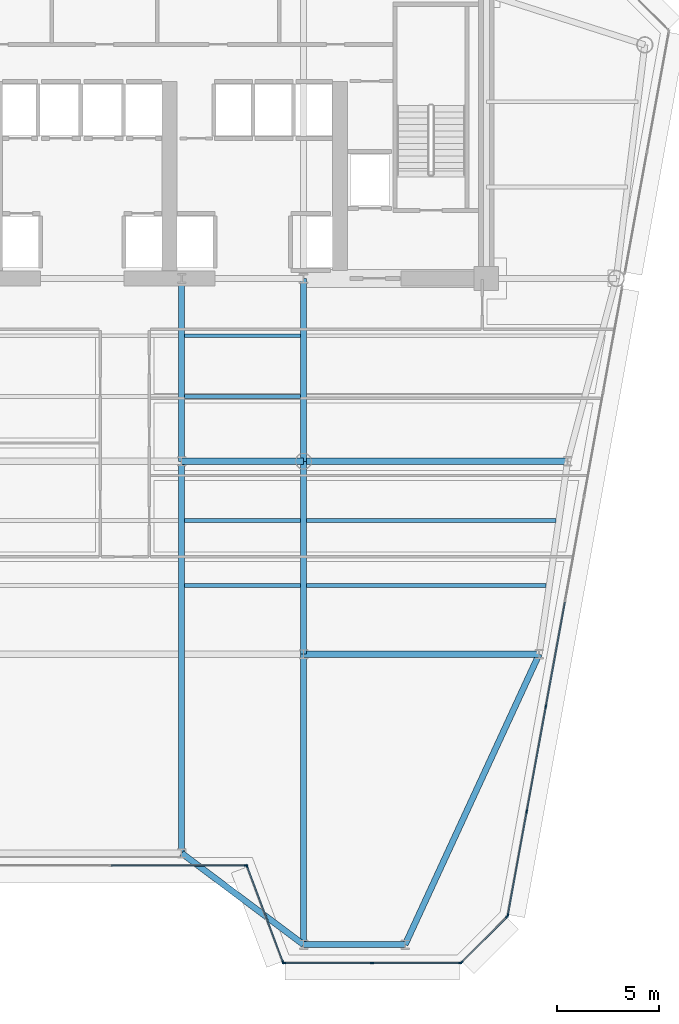
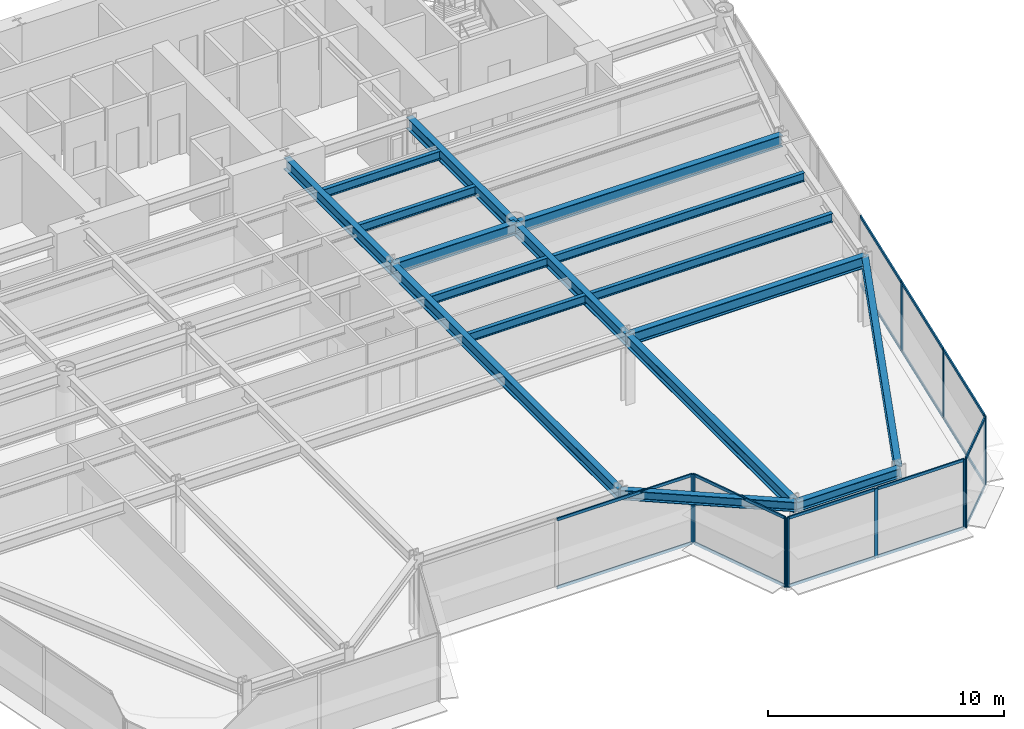
# One storey, part 5 of 17: 27 members, 17 beams, 5 elements without a shape of their own.
"""IFC4 building model written with IfcOpenShell, lengths in metres."""

import ifcopenshell
import ifcopenshell.guid

model = None  # the IFC model being written
_history = None  # IfcOwnerHistory: only IFC2X3 demands one
_inside = {}  # id of a spatial element -> (the spatial element, [elements in it])
_under = {}  # id of a project, library or spatial element -> (it, [spatial elements below it])
_declared = {}  # id of a project -> (the project, [libraries it declares])
_typed = {}  # id of a type object -> (the type object, [elements of that type])
_made_of = {}  # id of a material, layer set ... -> (it, [elements and type objects made of it])


def new_model(schema):
    """Start an empty IFC model of exactly this schema.

    Asked for "IFC4X3", IfcOpenShell would pick the latest addendum, in which some entities
    have other attributes; the version numbers below select the first issue.
    IFC2X3 requires an IfcOwnerHistory on every rooted entity: one is made here for all.
    """
    global model, _history
    if schema == "IFC4X3":
        model = ifcopenshell.file(schema_version=(4, 3, 0, 0))
    else:
        model = ifcopenshell.file(schema=schema)
    _inside.clear()
    _under.clear()
    _declared.clear()
    _typed.clear()
    _made_of.clear()
    _history = None
    if model.schema == "IFC2X3":
        org = make("IfcOrganization", Name="unknown")
        user = make(
            "IfcPersonAndOrganization",
            ThePerson=make("IfcPerson", FamilyName="unknown"),
            TheOrganization=org,
        )
        app = make(
            "IfcApplication",
            ApplicationDeveloper=org,
            Version="unknown",
            ApplicationFullName="unknown",
            ApplicationIdentifier="unknown",
        )
        _history = make(
            "IfcOwnerHistory",
            OwningUser=user,
            OwningApplication=app,
            ChangeAction="ADDED",
            CreationDate=0,
        )
    return model


def make(cls, **values):
    """One entity of the class cls with the attributes given. An attribute that is None is left unset."""
    return model.create_entity(
        cls, **{name: value for name, value in values.items() if value is not None}
    )


def rooted(cls, **values):
    """An entity with a GlobalId (a new one), such as an element, a storey or a relation."""
    return make(cls, GlobalId=ifcopenshell.guid.new(), OwnerHistory=_history, **values)


def si_unit(unit_type, name, prefix=None):
    """IfcSIUnit, for example si_unit("LENGTHUNIT", "METRE", prefix="MILLI")."""
    return make("IfcSIUnit", UnitType=unit_type, Prefix=prefix, Name=name)


def assignment(units):
    """IfcUnitAssignment: the units of a project."""
    return None if units is None else make("IfcUnitAssignment", Units=units)


def point(xyz):
    """IfcCartesianPoint."""
    return None if xyz is None else make("IfcCartesianPoint", Coordinates=xyz)


def direction(xyz):
    """IfcDirection."""
    return None if xyz is None else make("IfcDirection", DirectionRatios=xyz)


def frame(location, z_axis=None, x_axis=None):
    """IfcAxis2Placement3D, a coordinate frame: its origin and axes. An axis left out is left unset."""
    return make(
        "IfcAxis2Placement3D",
        Location=point(location),
        Axis=direction(z_axis),
        RefDirection=direction(x_axis),
    )


def frame_2d(location, x_axis=None):
    """IfcAxis2Placement2D, a coordinate frame in the plane: its origin and x axis."""
    return make(
        "IfcAxis2Placement2D", Location=point(location), RefDirection=direction(x_axis)
    )


def origin():
    """The frame at (0, 0, 0) with its axes left unset."""
    return frame((0.0, 0.0, 0.0))


def origin_2d():
    """The frame at (0, 0) in the plane with its x axis left unset."""
    return frame_2d((0.0, 0.0))


def place(relative_to, where):
    """IfcLocalPlacement: puts the frame where relative to a parent placement (None: the world)."""
    return make(
        "IfcLocalPlacement", PlacementRelTo=relative_to, RelativePlacement=where
    )


def context(
    kind, dimensions, precision=None, world=None, true_north=None, identifier=None
):
    """IfcGeometricRepresentationContext, for example the 3D "Model" context."""
    return make(
        "IfcGeometricRepresentationContext",
        ContextIdentifier=identifier,
        ContextType=kind,
        CoordinateSpaceDimension=dimensions,
        Precision=precision,
        WorldCoordinateSystem=world,
        TrueNorth=true_north,
    )


def subcontext(parent, identifier, kind, view, scale=None):
    """IfcGeometricRepresentationSubContext, for example "Body" below "Model"."""
    return make(
        "IfcGeometricRepresentationSubContext",
        ContextIdentifier=identifier,
        ContextType=kind,
        ParentContext=parent,
        TargetScale=scale,
        TargetView=view,
    )


def project(units=None, contexts=None):
    """IfcProject with its units and contexts."""
    return rooted(
        "IfcProject",
        Name="project",
        RepresentationContexts=contexts,
        UnitsInContext=assignment(units),
    )


def spatial(cls, under=None, at=None, **own):
    """A site, building, storey or space (cls), placed at a placement, below another one or the project."""
    s = rooted(cls, ObjectPlacement=at, **own)
    if under is not None:
        _under.setdefault(under.id(), (under, []))[1].append(s)
    return s


def profile(cls, at=None, kind="AREA", **sizes):
    """A parametric profile (cls). Its sizes go by their IFC names, for example OverallWidth=200.0."""
    return make(cls, ProfileType=kind, Position=at, **sizes)


def rectangle(**sizes):
    """IfcRectangleProfileDef."""
    return profile("IfcRectangleProfileDef", **sizes)


def i_section(**sizes):
    """IfcIShapeProfileDef."""
    return profile("IfcIShapeProfileDef", **sizes)


def extrude(swept, where, along, depth):
    """IfcExtrudedAreaSolid: the profile swept, set in the frame where, extruded along a direction by depth."""
    return make(
        "IfcExtrudedAreaSolid",
        SweptArea=swept,
        Position=where,
        ExtrudedDirection=direction(along),
        Depth=depth,
    )


def shape(context_of_items, identifier, shape_type, items):
    """IfcShapeRepresentation: the items that make up one representation, for example the "Body"."""
    return make(
        "IfcShapeRepresentation",
        ContextOfItems=context_of_items,
        RepresentationIdentifier=identifier,
        RepresentationType=shape_type,
        Items=items,
    )


def source(mapping_origin, context_of_items, identifier, shape_type, items):
    """IfcRepresentationMap: a shape defined once, which mapped items show again and again."""
    return make(
        "IfcRepresentationMap",
        MappingOrigin=mapping_origin,
        MappedRepresentation=shape(context_of_items, identifier, shape_type, items),
    )


def transform(
    local_origin,
    x_axis=None,
    y_axis=None,
    z_axis=None,
    scale=None,
    scale2=None,
    scale3=None,
    uniform=True,
):
    """IfcCartesianTransformationOperator3D, or its non-uniform kind. x_axis, y_axis, z_axis: its Axis1, 2, 3."""
    if uniform:
        return make(
            "IfcCartesianTransformationOperator3D",
            Axis1=direction(x_axis),
            Axis2=direction(y_axis),
            LocalOrigin=point(local_origin),
            Scale=scale,
            Axis3=direction(z_axis),
        )
    return make(
        "IfcCartesianTransformationOperator3DnonUniform",
        Axis1=direction(x_axis),
        Axis2=direction(y_axis),
        LocalOrigin=point(local_origin),
        Scale=scale,
        Axis3=direction(z_axis),
        Scale2=scale2,
        Scale3=scale3,
    )


def mapped(mapping_source, mapping_target):
    """IfcMappedItem: shows the shape of a source again, moved by a transform."""
    return make(
        "IfcMappedItem", MappingSource=mapping_source, MappingTarget=mapping_target
    )


def material(Name=None, Category=None):
    """IfcMaterial."""
    return make("IfcMaterial", Name=Name, Category=Category)


def layer(
    of_material, thickness, ventilated=None, Name=None, Category=None, Priority=None
):
    """IfcMaterialLayer: one layer of a wall or slab, of a material (None: an air gap)."""
    return make(
        "IfcMaterialLayer",
        Material=of_material,
        LayerThickness=thickness,
        IsVentilated=ventilated,
        Name=Name,
        Category=Category,
        Priority=Priority,
    )


def layer_set(layers, Name=None):
    """IfcMaterialLayerSet."""
    return make("IfcMaterialLayerSet", MaterialLayers=layers, LayerSetName=Name)


def material_profile(
    of_material, cross_section, Name=None, Category=None, Priority=None
):
    """IfcMaterialProfile: a cross section and its material."""
    return make(
        "IfcMaterialProfile",
        Name=Name,
        Material=of_material,
        Profile=cross_section,
        Priority=Priority,
        Category=Category,
    )


def profile_set(profiles, Name=None, composite=None):
    """IfcMaterialProfileSet."""
    return make(
        "IfcMaterialProfileSet",
        Name=Name,
        MaterialProfiles=profiles,
        CompositeProfile=composite,
    )


def made_of(thing, what):
    """Note that an element or type object is made of a material, layer set ...; save() writes the relation."""
    if what is not None:
        _made_of.setdefault(what.id(), (what, []))[1].append(thing)
    return thing


def type_object(cls, material=None, **own):
    """A type object (cls), such as IfcWallType, which elements share."""
    return made_of(rooted(cls, **own), material)


def element(
    cls,
    number,
    at=None,
    inside=None,
    cuts=None,
    type_object=None,
    material=None,
    context=None,
    identifier="Body",
    shape_type=None,
    held_by="IfcProductDefinitionShape",
    body=None,
    shapes=None,
    **own,
):
    """One element of the class cls, such as IfcWall. Its Tag is "e" and its number.

    at: its placement. inside: the storey or other place that contains it. cuts: it is an
    opening in that element (IfcRelVoidsElement). A single representation is given by context,
    identifier, shape_type and body (its items); several are given by shapes. held_by: the class
    of the entity that holds the representations. save() writes the other relations.
    """
    e = rooted(cls, Tag="e%d" % number, ObjectPlacement=at, **own)
    if body is not None:
        shapes = [shape(context, identifier, shape_type, body)]
    if shapes is not None:
        e.Representation = make(held_by, Representations=shapes)
    if inside is not None:
        _inside.setdefault(inside.id(), (inside, []))[1].append(e)
    if cuts is not None:
        rooted(
            "IfcRelVoidsElement", RelatingBuildingElement=cuts, RelatedOpeningElement=e
        )
    if type_object is not None:
        _typed.setdefault(type_object.id(), (type_object, []))[1].append(e)
    return made_of(e, material)


def aggregate(whole, parts):
    """IfcRelAggregates: a whole, such as a stair, and the parts it consists of."""
    return rooted("IfcRelAggregates", RelatingObject=whole, RelatedObjects=parts)


def save(model, path):
    """Write the relations noted so far, then the file.

    IfcRelAggregates (storeys below a building ...), IfcRelContainedInSpatialStructure (elements
    in a storey), IfcRelDefinesByType, IfcRelAssociatesMaterial and IfcRelDeclares: one each for
    every whole, place, type object, material and project.
    """
    for whole, parts in _under.values():
        aggregate(whole, parts)
    for where, things in _inside.values():
        rooted(
            "IfcRelContainedInSpatialStructure",
            RelatedElements=things,
            RelatingStructure=where,
        )
    for kind, things in _typed.values():
        rooted("IfcRelDefinesByType", RelatedObjects=things, RelatingType=kind)
    for what, things in _made_of.values():
        rooted("IfcRelAssociatesMaterial", RelatedObjects=things, RelatingMaterial=what)
    for by, libraries in _declared.values():
        rooted("IfcRelDeclares", RelatingContext=by, RelatedDefinitions=libraries)
    model.write(path)


model = new_model("IFC4")

# Units and contexts
model_context = context("Model", 3, precision=1e-05, world=origin(), true_north=direction((0.0, 1.0)))
body_context = subcontext(model_context, "Body", "Model", "MODEL_VIEW")
ifc_project = project(units=[si_unit("LENGTHUNIT", "METRE"), si_unit("AREAUNIT", "SQUARE_METRE"), si_unit("VOLUMEUNIT", "CUBIC_METRE"), si_unit("PLANEANGLEUNIT", "RADIAN"), si_unit("MASSUNIT", "GRAM", prefix="KILO")], contexts=[model_context])

# Site, building, storey
site_placement = place(None, origin())
site = spatial("IfcSite", under=ifc_project, at=site_placement, CompositionType="ELEMENT")
building_placement = place(site_placement, origin())
building = spatial("IfcBuilding", under=site, at=building_placement, Name="Vaeldorn Concourse Tower", CompositionType="ELEMENT")
storey_placement = place(building_placement, frame((0.0, 0.0, 157.60009765625)))
storey = spatial("IfcBuildingStorey", under=building, at=storey_placement, Name="L40", CompositionType="ELEMENT", Elevation=157.60009765625)

# Beams
ifc_material_1 = material(Name="Steel S355", Category="steel")
ifc_material_profile_1 = material_profile(ifc_material_1, i_section(OverallWidth=0.300048828125, OverallDepth=0.5, WebThickness=0.014404296875, FlangeThickness=0.028076171875, FilletRadius=0.027099609375, at=origin_2d()), Name="HEB 500")
ifc_profile_set_1 = profile_set([ifc_material_profile_1], Name="Steel S355")
beam_type_1 = type_object("IfcBeamType", Name="BM-SP-HEB500", PredefinedType="SPANDREL", material=ifc_profile_set_1)
shared_shape_1 = source(origin(), body_context, "Body", "SweptSolid", [
    extrude(i_section(OverallWidth=0.300048828125, OverallDepth=0.5, WebThickness=0.014404296875, FlangeThickness=0.028076171875, FilletRadius=0.027099609375, at=origin_2d()), origin(), (0.0, 0.0, 1.0), 5.0),
])
beam_1_placement = place(storey_placement, frame((45.0, 3.699951171875, 3.329833984375), z_axis=(1.0, 0.0, 0.0), x_axis=(0.0, 1.0, 0.0)))
element("IfcBeam", 1, at=beam_1_placement, inside=storey, type_object=beam_type_1, Name="Beam BM-L40-C-SF5-C-SF6", PredefinedType="SPANDREL", context=body_context, shape_type="MappedRepresentation", body=[
    mapped(shared_shape_1, transform((0.0, 0.0, 0.0), scale=1.0)),
])
shared_shape_2 = source(origin(), body_context, "Body", "SweptSolid", [
    extrude(i_section(OverallWidth=0.300048828125, OverallDepth=0.5, WebThickness=0.014404296875, FlangeThickness=0.028076171875, FilletRadius=0.027099609375, at=origin_2d()), origin(), (0.0, 0.0, 1.0), 7.5),
])
beam_2_placement = place(storey_placement, frame((39.0, 8.199951171875, 3.329833984375), z_axis=(0.8, -0.6, 0.0), x_axis=(0.6, 0.8, 0.0)))
element("IfcBeam", 2, at=beam_2_placement, inside=storey, type_object=beam_type_1, Name="Beam BM-L40-C-SF4-C-SF5", PredefinedType="SPANDREL", context=body_context, shape_type="MappedRepresentation", body=[
    mapped(shared_shape_2, transform((0.0, 0.0, 0.0), scale=1.0)),
])
ifc_material_profile_2 = material_profile(ifc_material_1, i_section(OverallWidth=0.18994140625, OverallDepth=0.449951171875, WebThickness=0.009521484375, FlangeThickness=0.0146484375, FilletRadius=0.02099609375, at=origin_2d()), Name="IPE 450")
ifc_profile_set_2 = profile_set([ifc_material_profile_2], Name="Steel S355")
beam_type_2 = type_object("IfcBeamType", Name="BM-JS-IPE450", PredefinedType="JOIST", material=ifc_profile_set_2)
shared_shape_3 = source(origin(), body_context, "Body", "SweptSolid", [
    extrude(i_section(OverallWidth=0.18994140625, OverallDepth=0.449951171875, WebThickness=0.009521484375, FlangeThickness=0.0146484375, FilletRadius=0.02099609375, at=origin_2d()), origin(), (0.0, 0.0, 1.0), 5.7001953125),
])
for number, where, z_axis, x_axis, name in (
    (3, (39.14990234375, 21.3798828125, 3.35498046875), (1.0, 0.0, 0.0), (0.0, 1.0, 0.0), "Beam JS-L40-E2-213"),
    (4, (39.14990234375, 24.580078125, 3.35498046875), (1.0, 0.0, 0.0), (0.0, 1.0, 0.0), "Beam JS-L40-E2-245"),
    (5, (39.14990234375, 30.679931640625, 3.35498046875), (1.0, 0.0, 0.0), (0.0, 1.0, 0.0), "Beam JS-L40-E2-306"),
    (6, (39.14990234375, 33.679931640625, 3.35498046875), (1.0, 0.0, 0.0), (0.0, 1.0, 0.0), "Beam JS-L40-E2-336"),
):
    element("IfcBeam", number, at=place(storey_placement, frame(where, z_axis=z_axis, x_axis=x_axis)), inside=storey, type_object=beam_type_2, Name=name, PredefinedType="JOIST", context=body_context, shape_type="MappedRepresentation", body=[
        mapped(shared_shape_3, transform((0.0, 0.0, 0.0), scale=1.0)),
    ])
shared_shape_4 = source(origin(), body_context, "Body", "SweptSolid", [
    extrude(i_section(OverallWidth=0.18994140625, OverallDepth=0.449951171875, WebThickness=0.009521484375, FlangeThickness=0.0146484375, FilletRadius=0.02099609375, at=origin_2d()), origin(), (0.0, 0.0, 1.0), 11.798095703125),
])
beam_3_placement = place(storey_placement, frame((45.14990234375, 21.3798828125, 3.35498046875), z_axis=(1.0, 0.0, 0.0), x_axis=(0.0, 1.0, 0.0)))
element("IfcBeam", 7, at=beam_3_placement, inside=storey, type_object=beam_type_2, Name="Beam JS-L40-E1-213", PredefinedType="JOIST", context=body_context, shape_type="MappedRepresentation", body=[
    mapped(shared_shape_4, transform((0.0, 0.0, 0.0), scale=1.0)),
])
shared_shape_5 = source(origin(), body_context, "Body", "SweptSolid", [
    extrude(i_section(OverallWidth=0.18994140625, OverallDepth=0.449951171875, WebThickness=0.009521484375, FlangeThickness=0.0146484375, FilletRadius=0.02099609375, at=origin_2d()), origin(), (0.0, 0.0, 1.0), 12.269775390625),
])
beam_4_placement = place(storey_placement, frame((45.14990234375, 24.580078125, 3.35498046875), z_axis=(1.0, 0.0, 0.0), x_axis=(0.0, 1.0, 0.0)))
element("IfcBeam", 8, at=beam_4_placement, inside=storey, type_object=beam_type_2, Name="Beam JS-L40-E1-245", PredefinedType="JOIST", context=body_context, shape_type="MappedRepresentation", body=[
    mapped(shared_shape_5, transform((0.0, 0.0, 0.0), scale=1.0)),
])
ifc_material_profile_3 = material_profile(ifc_material_1, i_section(OverallWidth=0.300048828125, OverallDepth=0.60009765625, WebThickness=0.015380859375, FlangeThickness=0.030029296875, FilletRadius=0.027099609375, at=origin_2d()), Name="HEB 600")
ifc_profile_set_3 = profile_set([ifc_material_profile_3], Name="Steel S355")
beam_type_3 = type_object("IfcBeamType", Name="BM-PG-HEB600", PredefinedType="BEAM", material=ifc_profile_set_3)
shared_shape_6 = source(origin(), body_context, "Body", "SweptSolid", [
    extrude(i_section(OverallWidth=0.300048828125, OverallDepth=0.60009765625, WebThickness=0.015380859375, FlangeThickness=0.030029296875, FilletRadius=0.027099609375, at=origin_2d()), origin(), (0.0, 0.0, 1.0), 6.0),
])
beam_5_placement = place(storey_placement, frame((39.0, 27.5, 3.27978515625), z_axis=(1.0, 0.0, 0.0), x_axis=(0.0, 1.0, 0.0)))
element("IfcBeam", 9, at=beam_5_placement, inside=storey, type_object=beam_type_3, Name="Beam BM-L40-C-TW3-C-TW4", PredefinedType="BEAM", context=body_context, shape_type="MappedRepresentation", body=[
    mapped(shared_shape_6, transform((0.0, 0.0, 0.0), scale=1.0)),
])
shared_shape_7 = source(origin(), body_context, "Body", "SweptSolid", [
    extrude(i_section(OverallWidth=0.300048828125, OverallDepth=0.60009765625, WebThickness=0.015380859375, FlangeThickness=0.030029296875, FilletRadius=0.027099609375, at=origin_2d()), origin(), (0.0, 0.0, 1.0), 9.0),
])
for number, where, z_axis, x_axis, name in (
    (10, (39.0, 27.5, 3.27978515625), (0.0, 1.0, 0.0), (-1.0, 0.0, 0.0), "Beam BM-L40-C-TW3-C-FC4"),
    (11, (45.0, 27.5, 3.27978515625), (0.0, 1.0, 0.0), (-1.0, 0.0, 0.0), "Beam BM-L40-C-TW4-C-FC5"),
):
    element("IfcBeam", number, at=place(storey_placement, frame(where, z_axis=z_axis, x_axis=x_axis)), inside=storey, type_object=beam_type_3, Name=name, PredefinedType="BEAM", context=body_context, shape_type="MappedRepresentation", body=[
        mapped(shared_shape_7, transform((0.0, 0.0, 0.0), scale=1.0)),
    ])
shared_shape_8 = source(origin(), body_context, "Body", "SweptSolid", [
    extrude(i_section(OverallWidth=0.300048828125, OverallDepth=0.60009765625, WebThickness=0.015380859375, FlangeThickness=0.030029296875, FilletRadius=0.027099609375, at=origin_2d()), origin(), (0.0, 0.0, 1.0), 13.0),
])
beam_6_placement = place(storey_placement, frame((45.0, 27.5, 3.27978515625), z_axis=(1.0, 0.0, 0.0), x_axis=(0.0, 1.0, 0.0)))
element("IfcBeam", 12, at=beam_6_placement, inside=storey, type_object=beam_type_3, Name="Beam BM-L40-C-TW4-C-FLE1", PredefinedType="BEAM", context=body_context, shape_type="MappedRepresentation", body=[
    mapped(shared_shape_8, transform((0.0, 0.0, 0.0), scale=1.0)),
])
shared_shape_9 = source(origin(), body_context, "Body", "SweptSolid", [
    extrude(i_section(OverallWidth=0.300048828125, OverallDepth=0.60009765625, WebThickness=0.015380859375, FlangeThickness=0.030029296875, FilletRadius=0.027099609375, at=origin_2d()), origin(), (0.0, 0.0, 1.0), 11.60009765625),
])
beam_7_placement = place(storey_placement, frame((45.0, 18.0, 3.27978515625), z_axis=(1.0, 0.0, 0.0), x_axis=(0.0, 1.0, 0.0)))
element("IfcBeam", 13, at=beam_7_placement, inside=storey, type_object=beam_type_3, Name="Beam BM-L40-C-TW6-C-FLE2", PredefinedType="BEAM", context=body_context, shape_type="MappedRepresentation", body=[
    mapped(shared_shape_9, transform((0.0, 0.0, 0.0), scale=1.0)),
])
shared_shape_10 = source(origin(), body_context, "Body", "SweptSolid", [
    extrude(i_section(OverallWidth=0.300048828125, OverallDepth=0.60009765625, WebThickness=0.015380859375, FlangeThickness=0.030029296875, FilletRadius=0.027099609375, at=origin_2d()), origin(), (0.0, 0.0, 1.0), 9.5),
])
beam_8_placement = place(storey_placement, frame((45.0, 18.0, 3.27978515625), z_axis=(0.0, 1.0, 0.0), x_axis=(-1.0, 0.0, 0.0)))
element("IfcBeam", 14, at=beam_8_placement, inside=storey, type_object=beam_type_3, Name="Beam BM-L40-C-TW6-C-TW4", PredefinedType="BEAM", context=body_context, shape_type="MappedRepresentation", body=[
    mapped(shared_shape_10, transform((0.0, 0.0, 0.0), scale=1.0)),
])
shared_shape_11 = source(origin(), body_context, "Body", "SweptSolid", [
    extrude(i_section(OverallWidth=0.300048828125, OverallDepth=0.60009765625, WebThickness=0.015380859375, FlangeThickness=0.030029296875, FilletRadius=0.027099609375, at=origin_2d()), origin(), (0.0, 0.0, 1.0), 15.749755859375),
])
beam_9_placement = place(storey_placement, frame((50.0, 3.699951171875, 3.27978515625), z_axis=(0.419062109495, 0.907957569706, 0.0), x_axis=(-0.907957569706, 0.419062109495, 0.0)))
element("IfcBeam", 15, at=beam_9_placement, inside=storey, type_object=beam_type_3, Name="Beam BM-L40-C-SF6-C-FLE2", PredefinedType="BEAM", context=body_context, shape_type="MappedRepresentation", body=[
    mapped(shared_shape_11, transform((0.0, 0.0, 0.0), scale=1.0)),
])
shared_shape_12 = source(origin(), body_context, "Body", "SweptSolid", [
    extrude(i_section(OverallWidth=0.300048828125, OverallDepth=0.60009765625, WebThickness=0.015380859375, FlangeThickness=0.030029296875, FilletRadius=0.027099609375, at=origin_2d()), origin(), (0.0, 0.0, 1.0), 14.300048828125),
])
beam_10_placement = place(storey_placement, frame((45.0, 3.699951171875, 3.27978515625), z_axis=(0.0, 1.0, 0.0), x_axis=(-1.0, 0.0, 0.0)))
element("IfcBeam", 16, at=beam_10_placement, inside=storey, type_object=beam_type_3, Name="Beam BM-L40-C-SF5-C-TW6", PredefinedType="BEAM", context=body_context, shape_type="MappedRepresentation", body=[
    mapped(shared_shape_12, transform((0.0, 0.0, 0.0), scale=1.0)),
])
shared_shape_13 = source(origin(), body_context, "Body", "SweptSolid", [
    extrude(i_section(OverallWidth=0.300048828125, OverallDepth=0.60009765625, WebThickness=0.015380859375, FlangeThickness=0.030029296875, FilletRadius=0.027099609375, at=origin_2d()), origin(), (0.0, 0.0, 1.0), 19.300048828125),
])
beam_11_placement = place(storey_placement, frame((39.0, 8.199951171875, 3.27978515625), z_axis=(0.0, 1.0, 0.0), x_axis=(-1.0, 0.0, 0.0)))
element("IfcBeam", 17, at=beam_11_placement, inside=storey, type_object=beam_type_3, Name="Beam BM-L40-C-SF4-C-TW3", PredefinedType="BEAM", context=body_context, shape_type="MappedRepresentation", body=[
    mapped(shared_shape_13, transform((0.0, 0.0, 0.0), scale=1.0)),
])

# Curtain wall, member
ifc_material_2 = material(Name="Anodised Bronze Aluminium", Category="aluminium")
ifc_layer = layer(ifc_material_2, 0.18994140625)
ifc_layer_set = layer_set([ifc_layer], Name="Anodised Bronze Aluminium")
curtain_wall_type = type_object("IfcCurtainWallType", Name="CW-SYS-03", PredefinedType="NOTDEFINED", material=ifc_layer_set)
curtain_wall_1_placement = place(storey_placement, origin())
curtain_wall_1 = element("IfcCurtainWall", 18, at=curtain_wall_1_placement, inside=storey, type_object=curtain_wall_type, Name="Unitised Curtain Wall CW-L40-E03-1", PredefinedType="NOTDEFINED")
ifc_material_profile_4 = material_profile(ifc_material_2, rectangle(XDim=0.06494140625, YDim=0.169921875, at=origin_2d()), Name="CWM 65x170")
ifc_profile_set_4 = profile_set([ifc_material_profile_4], Name="Anodised Bronze Aluminium")
member_type_1 = type_object("IfcMemberType", Name="CWM-BRONZE-170", PredefinedType="MULLION", material=ifc_profile_set_4)
shared_shape_14 = source(origin(), body_context, "Body", "SweptSolid", [
    extrude(rectangle(XDim=0.06494140625, YDim=0.169921875, at=origin_2d()), origin(), (0.0, 0.0, 1.0), 3.579833984375),
])
member_1_placement = place(storey_placement, frame((42.16748046875, 7.60009765625, 0.0), z_axis=(0.0, 0.0, 1.0), x_axis=(0.0, 1.0, 0.0)))
member_1 = element("IfcMember", 19, at=member_1_placement, type_object=member_type_1, Name="CW-03 mullion 3", PredefinedType="MULLION", context=body_context, shape_type="MappedRepresentation", body=[
    mapped(shared_shape_14, transform((0.0, 0.0, 0.0), scale=1.0)),
])

# Curtain wall, members
curtain_wall_2_placement = place(storey_placement, origin())
curtain_wall_2 = element("IfcCurtainWall", 20, at=curtain_wall_2_placement, inside=storey, type_object=curtain_wall_type, Name="Unitised Curtain Wall CW-L40-E04-1", PredefinedType="NOTDEFINED")
member_2_placement = place(storey_placement, frame((42.21142578125, 7.569580078125, 0.0), z_axis=(0.0, 0.0, 1.0), x_axis=(0.936329177566, 0.351123441595, 0.0)))
member_2 = element("IfcMember", 21, at=member_2_placement, type_object=member_type_1, Name="CW-03 mullion 1", PredefinedType="MULLION", context=body_context, shape_type="MappedRepresentation", body=[
    mapped(shared_shape_14, transform((0.0, 0.0, 0.0), scale=1.0)),
])
member_3_placement = place(storey_placement, frame((43.988525390625, 2.830322265625, 0.0), z_axis=(0.0, 0.0, 1.0), x_axis=(0.936329177566, 0.351123441595, 0.0)))
member_3 = element("IfcMember", 22, at=member_3_placement, type_object=member_type_1, Name="CW-03 mullion 2", PredefinedType="MULLION", context=body_context, shape_type="MappedRepresentation", body=[
    mapped(shared_shape_14, transform((0.0, 0.0, 0.0), scale=1.0)),
])

curtain_wall_3_placement = place(storey_placement, origin())
curtain_wall_3 = element("IfcCurtainWall", 23, at=curtain_wall_3_placement, inside=storey, type_object=curtain_wall_type, Name="Unitised Curtain Wall CW-L40-E05-1", PredefinedType="NOTDEFINED")
member_4_placement = place(storey_placement, frame((44.032470703125, 2.800048828125, 0.0), z_axis=(0.0, 0.0, 1.0), x_axis=(0.0, 1.0, 0.0)))
member_4 = element("IfcMember", 24, at=member_4_placement, type_object=member_type_1, Name="CW-03 mullion 1", PredefinedType="MULLION", context=body_context, shape_type="MappedRepresentation", body=[
    mapped(shared_shape_14, transform((0.0, 0.0, 0.0), scale=1.0)),
])
member_5_placement = place(storey_placement, frame((48.37353515625, 2.800048828125, 0.0), z_axis=(0.0, 0.0, 1.0), x_axis=(0.0, 1.0, 0.0)))
member_5 = element("IfcMember", 25, at=member_5_placement, type_object=member_type_1, Name="CW-03 mullion 2", PredefinedType="MULLION", context=body_context, shape_type="MappedRepresentation", body=[
    mapped(shared_shape_14, transform((0.0, 0.0, 0.0), scale=1.0)),
])
member_6_placement = place(storey_placement, frame((52.714599609375, 2.800048828125, 0.0), z_axis=(0.0, 0.0, 1.0), x_axis=(0.0, 1.0, 0.0)))
member_6 = element("IfcMember", 26, at=member_6_placement, type_object=member_type_1, Name="CW-03 mullion 3", PredefinedType="MULLION", context=body_context, shape_type="MappedRepresentation", body=[
    mapped(shared_shape_14, transform((0.0, 0.0, 0.0), scale=1.0)),
])

curtain_wall_4_placement = place(storey_placement, origin())
curtain_wall_4 = element("IfcCurtainWall", 27, at=curtain_wall_4_placement, inside=storey, type_object=curtain_wall_type, Name="Unitised Curtain Wall CW-L40-E06-1", PredefinedType="NOTDEFINED")
member_7_placement = place(storey_placement, frame((52.77001953125, 2.822998046875, 0.0), z_axis=(0.0, 0.0, 1.0), x_axis=(-0.707106781187, 0.707106781187, 0.0)))
member_7 = element("IfcMember", 28, at=member_7_placement, type_object=member_type_1, Name="CW-03 mullion 1", PredefinedType="MULLION", context=body_context, shape_type="MappedRepresentation", body=[
    mapped(shared_shape_14, transform((0.0, 0.0, 0.0), scale=1.0)),
])
member_8_placement = place(storey_placement, frame((55.02392578125, 5.076904296875, 0.0), z_axis=(0.0, 0.0, 1.0), x_axis=(-0.707106781187, 0.707106781187, 0.0)))
member_8 = element("IfcMember", 29, at=member_8_placement, type_object=member_type_1, Name="CW-03 mullion 2", PredefinedType="MULLION", context=body_context, shape_type="MappedRepresentation", body=[
    mapped(shared_shape_14, transform((0.0, 0.0, 0.0), scale=1.0)),
])

curtain_wall_5_placement = place(storey_placement, origin())
curtain_wall_5 = element("IfcCurtainWall", 30, at=curtain_wall_5_placement, inside=storey, type_object=curtain_wall_type, Name="Unitised Curtain Wall CW-L40-E07-1", PredefinedType="NOTDEFINED")
member_9_placement = place(storey_placement, frame((55.052734375, 5.132080078125, 0.0), z_axis=(0.0, 0.0, 1.0), x_axis=(-0.983767841325, 0.179445909331, 0.0)))
member_9 = element("IfcMember", 31, at=member_9_placement, type_object=member_type_1, Name="CW-03 mullion 1", PredefinedType="MULLION", context=body_context, shape_type="MappedRepresentation", body=[
    mapped(shared_shape_14, transform((0.0, 0.0, 0.0), scale=1.0)),
])
member_10_placement = place(storey_placement, frame((55.989013671875, 10.263916015625, 0.0), z_axis=(0.0, 0.0, 1.0), x_axis=(-0.983767841325, 0.179445909331, 0.0)))
member_10 = element("IfcMember", 32, at=member_10_placement, type_object=member_type_1, Name="CW-03 mullion 2", PredefinedType="MULLION", context=body_context, shape_type="MappedRepresentation", body=[
    mapped(shared_shape_14, transform((0.0, 0.0, 0.0), scale=1.0)),
])
member_11_placement = place(storey_placement, frame((56.930908203125, 15.427734375, 0.0), z_axis=(0.0, 0.0, 1.0), x_axis=(-0.983767841325, 0.179445909331, 0.0)))
member_11 = element("IfcMember", 33, at=member_11_placement, type_object=member_type_1, Name="CW-03 mullion 3", PredefinedType="MULLION", context=body_context, shape_type="MappedRepresentation", body=[
    mapped(shared_shape_14, transform((0.0, 0.0, 0.0), scale=1.0)),
])

# Member
ifc_material_profile_5 = material_profile(ifc_material_2, rectangle(XDim=0.06494140625, YDim=0.14990234375, at=origin_2d()), Name="CWT 65x150")
ifc_profile_set_5 = profile_set([ifc_material_profile_5], Name="Anodised Bronze Aluminium")
member_type_2 = type_object("IfcMemberType", Name="CWT-BRONZE-150", PredefinedType="USERDEFINED", material=ifc_profile_set_5)
shared_shape_15 = source(origin(), body_context, "Body", "SweptSolid", [
    extrude(rectangle(XDim=0.06494140625, YDim=0.14990234375, at=origin_2d()), origin(), (0.0, 0.0, 1.0), 4.996337890625),
])
member_12_placement = place(storey_placement, frame((42.222900390625, 7.5390625, 0.032470703125), z_axis=(0.351134151405, -0.936325161318, 0.0), x_axis=(0.936325161318, 0.351134151405, 0.0)))
member_12 = element("IfcMember", 34, at=member_12_placement, type_object=member_type_2, Name="CW-03 transom 1.1", ObjectType="TRANSOM", PredefinedType="USERDEFINED", context=body_context, shape_type="MappedRepresentation", body=[
    mapped(shared_shape_15, transform((0.0, 0.0, 0.0), scale=1.0)),
])

member_13_placement = place(storey_placement, frame((42.222900390625, 7.5390625, 3.54736328125), z_axis=(0.351134151405, -0.936325161318, 0.0), x_axis=(0.936325161318, 0.351134151405, 0.0)))
member_13 = element("IfcMember", 35, at=member_13_placement, type_object=member_type_2, Name="CW-03 transom 1.2", ObjectType="TRANSOM", PredefinedType="USERDEFINED", context=body_context, shape_type="MappedRepresentation", body=[
    mapped(shared_shape_15, transform((0.0, 0.0, 0.0), scale=1.0)),
])

aggregate(curtain_wall_2, [member_2, member_3, member_12, member_13])

shared_shape_16 = source(origin(), body_context, "Body", "SweptSolid", [
    extrude(rectangle(XDim=0.06494140625, YDim=0.14990234375, at=origin_2d()), origin(), (0.0, 0.0, 1.0), 6.6025390625),
])
member_14_placement = place(storey_placement, frame((35.532470703125, 7.60009765625, 0.032470703125), z_axis=(1.0, 0.0, 0.0), x_axis=(0.0, 1.0, 0.0)))
member_14 = element("IfcMember", 36, at=member_14_placement, type_object=member_type_2, Name="CW-03 transom 2.1", ObjectType="TRANSOM", PredefinedType="USERDEFINED", context=body_context, shape_type="MappedRepresentation", body=[
    mapped(shared_shape_16, transform((0.0, 0.0, 0.0), scale=1.0)),
])

member_15_placement = place(storey_placement, frame((35.532470703125, 7.60009765625, 3.54736328125), z_axis=(1.0, 0.0, 0.0), x_axis=(0.0, 1.0, 0.0)))
member_15 = element("IfcMember", 37, at=member_15_placement, type_object=member_type_2, Name="CW-03 transom 2.2", ObjectType="TRANSOM", PredefinedType="USERDEFINED", context=body_context, shape_type="MappedRepresentation", body=[
    mapped(shared_shape_16, transform((0.0, 0.0, 0.0), scale=1.0)),
])

aggregate(curtain_wall_1, [member_1, member_14, member_15])

shared_shape_17 = source(origin(), body_context, "Body", "SweptSolid", [
    extrude(rectangle(XDim=0.06494140625, YDim=0.14990234375, at=origin_2d()), origin(), (0.0, 0.0, 1.0), 3.12255859375),
])
member_16_placement = place(storey_placement, frame((52.79296875, 2.845947265625, 0.032470703125), z_axis=(0.707106781187, 0.707106781187, 0.0), x_axis=(-0.707106781187, 0.707106781187, 0.0)))
member_16 = element("IfcMember", 38, at=member_16_placement, type_object=member_type_2, Name="CW-03 transom 1.1", ObjectType="TRANSOM", PredefinedType="USERDEFINED", context=body_context, shape_type="MappedRepresentation", body=[
    mapped(shared_shape_17, transform((0.0, 0.0, 0.0), scale=1.0)),
])

member_17_placement = place(storey_placement, frame((52.79296875, 2.845947265625, 3.54736328125), z_axis=(0.707106781187, 0.707106781187, 0.0), x_axis=(-0.707106781187, 0.707106781187, 0.0)))
member_17 = element("IfcMember", 39, at=member_17_placement, type_object=member_type_2, Name="CW-03 transom 1.2", ObjectType="TRANSOM", PredefinedType="USERDEFINED", context=body_context, shape_type="MappedRepresentation", body=[
    mapped(shared_shape_17, transform((0.0, 0.0, 0.0), scale=1.0)),
])

aggregate(curtain_wall_4, [member_7, member_8, member_16, member_17])

shared_shape_18 = source(origin(), body_context, "Body", "SweptSolid", [
    extrude(rectangle(XDim=0.06494140625, YDim=0.14990234375, at=origin_2d()), origin(), (0.0, 0.0, 1.0), 4.276123046875),
])
member_18_placement = place(storey_placement, frame((44.06494140625, 2.800048828125, 0.032470703125), z_axis=(1.0, 0.0, 0.0), x_axis=(0.0, 1.0, 0.0)))
member_18 = element("IfcMember", 40, at=member_18_placement, type_object=member_type_2, Name="CW-03 transom 1.1", ObjectType="TRANSOM", PredefinedType="USERDEFINED", context=body_context, shape_type="MappedRepresentation", body=[
    mapped(shared_shape_18, transform((0.0, 0.0, 0.0), scale=1.0)),
])

member_19_placement = place(storey_placement, frame((44.06494140625, 2.800048828125, 3.54736328125), z_axis=(1.0, 0.0, 0.0), x_axis=(0.0, 1.0, 0.0)))
member_19 = element("IfcMember", 41, at=member_19_placement, type_object=member_type_2, Name="CW-03 transom 1.2", ObjectType="TRANSOM", PredefinedType="USERDEFINED", context=body_context, shape_type="MappedRepresentation", body=[
    mapped(shared_shape_18, transform((0.0, 0.0, 0.0), scale=1.0)),
])

shared_shape_19 = source(origin(), body_context, "Body", "SweptSolid", [
    extrude(rectangle(XDim=0.06494140625, YDim=0.14990234375, at=origin_2d()), origin(), (0.0, 0.0, 1.0), 4.27587890625),
])
member_20_placement = place(storey_placement, frame((48.406005859375, 2.800048828125, 0.032470703125), z_axis=(1.0, 0.0, 0.0), x_axis=(0.0, 1.0, 0.0)))
member_20 = element("IfcMember", 42, at=member_20_placement, type_object=member_type_2, Name="CW-03 transom 2.1", ObjectType="TRANSOM", PredefinedType="USERDEFINED", context=body_context, shape_type="MappedRepresentation", body=[
    mapped(shared_shape_19, transform((0.0, 0.0, 0.0), scale=1.0)),
])

member_21_placement = place(storey_placement, frame((48.406005859375, 2.800048828125, 3.54736328125), z_axis=(1.0, 0.0, 0.0), x_axis=(0.0, 1.0, 0.0)))
member_21 = element("IfcMember", 43, at=member_21_placement, type_object=member_type_2, Name="CW-03 transom 2.2", ObjectType="TRANSOM", PredefinedType="USERDEFINED", context=body_context, shape_type="MappedRepresentation", body=[
    mapped(shared_shape_19, transform((0.0, 0.0, 0.0), scale=1.0)),
])

aggregate(curtain_wall_3, [member_4, member_5, member_6, member_18, member_19, member_20, member_21])

shared_shape_20 = source(origin(), body_context, "Body", "SweptSolid", [
    extrude(rectangle(XDim=0.06494140625, YDim=0.14990234375, at=origin_2d()), origin(), (0.0, 0.0, 1.0), 5.151611328125),
])
member_22_placement = place(storey_placement, frame((55.05859375, 5.1640625, 0.032470703125), z_axis=(0.179473445995, 0.983762818053, 0.0), x_axis=(-0.983762818053, 0.179473445995, 0.0)))
member_22 = element("IfcMember", 44, at=member_22_placement, type_object=member_type_2, Name="CW-03 transom 1.1", ObjectType="TRANSOM", PredefinedType="USERDEFINED", context=body_context, shape_type="MappedRepresentation", body=[
    mapped(shared_shape_20, transform((0.0, 0.0, 0.0), scale=1.0)),
])

member_23_placement = place(storey_placement, frame((55.05859375, 5.1640625, 3.54736328125), z_axis=(0.179473445995, 0.983762818053, 0.0), x_axis=(-0.983762818053, 0.179473445995, 0.0)))
member_23 = element("IfcMember", 45, at=member_23_placement, type_object=member_type_2, Name="CW-03 transom 1.2", ObjectType="TRANSOM", PredefinedType="USERDEFINED", context=body_context, shape_type="MappedRepresentation", body=[
    mapped(shared_shape_20, transform((0.0, 0.0, 0.0), scale=1.0)),
])

shared_shape_21 = source(origin(), body_context, "Body", "SweptSolid", [
    extrude(rectangle(XDim=0.06494140625, YDim=0.14990234375, at=origin_2d()), origin(), (0.0, 0.0, 1.0), 5.18408203125),
])
member_24_placement = place(storey_placement, frame((55.994873046875, 10.2958984375, 0.032470703125), z_axis=(0.179432467646, 0.983770293084, 0.0), x_axis=(-0.983770293084, 0.179432467646, 0.0)))
member_24 = element("IfcMember", 46, at=member_24_placement, type_object=member_type_2, Name="CW-03 transom 2.1", ObjectType="TRANSOM", PredefinedType="USERDEFINED", context=body_context, shape_type="MappedRepresentation", body=[
    mapped(shared_shape_21, transform((0.0, 0.0, 0.0), scale=1.0)),
])

member_25_placement = place(storey_placement, frame((55.994873046875, 10.2958984375, 3.54736328125), z_axis=(0.179432467646, 0.983770293084, 0.0), x_axis=(-0.983770293084, 0.179432467646, 0.0)))
member_25 = element("IfcMember", 47, at=member_25_placement, type_object=member_type_2, Name="CW-03 transom 2.2", ObjectType="TRANSOM", PredefinedType="USERDEFINED", context=body_context, shape_type="MappedRepresentation", body=[
    mapped(shared_shape_21, transform((0.0, 0.0, 0.0), scale=1.0)),
])

shared_shape_22 = source(origin(), body_context, "Body", "SweptSolid", [
    extrude(rectangle(XDim=0.06494140625, YDim=0.14990234375, at=origin_2d()), origin(), (0.0, 0.0, 1.0), 5.184326171875),
])
member_26_placement = place(storey_placement, frame((56.936767578125, 15.459716796875, 0.032470703125), z_axis=(0.179424154775, 0.983771809254, 0.0), x_axis=(-0.983771809254, 0.179424154775, 0.0)))
member_26 = element("IfcMember", 48, at=member_26_placement, type_object=member_type_2, Name="CW-03 transom 3.1", ObjectType="TRANSOM", PredefinedType="USERDEFINED", context=body_context, shape_type="MappedRepresentation", body=[
    mapped(shared_shape_22, transform((0.0, 0.0, 0.0), scale=1.0)),
])

member_27_placement = place(storey_placement, frame((56.936767578125, 15.459716796875, 3.54736328125), z_axis=(0.179424154775, 0.983771809254, 0.0), x_axis=(-0.983771809254, 0.179424154775, 0.0)))
member_27 = element("IfcMember", 49, at=member_27_placement, type_object=member_type_2, Name="CW-03 transom 3.2", ObjectType="TRANSOM", PredefinedType="USERDEFINED", context=body_context, shape_type="MappedRepresentation", body=[
    mapped(shared_shape_22, transform((0.0, 0.0, 0.0), scale=1.0)),
])

aggregate(curtain_wall_5, [member_9, member_10, member_11, member_22, member_23, member_24, member_25, member_26, member_27])

save(model, "model.ifc")
